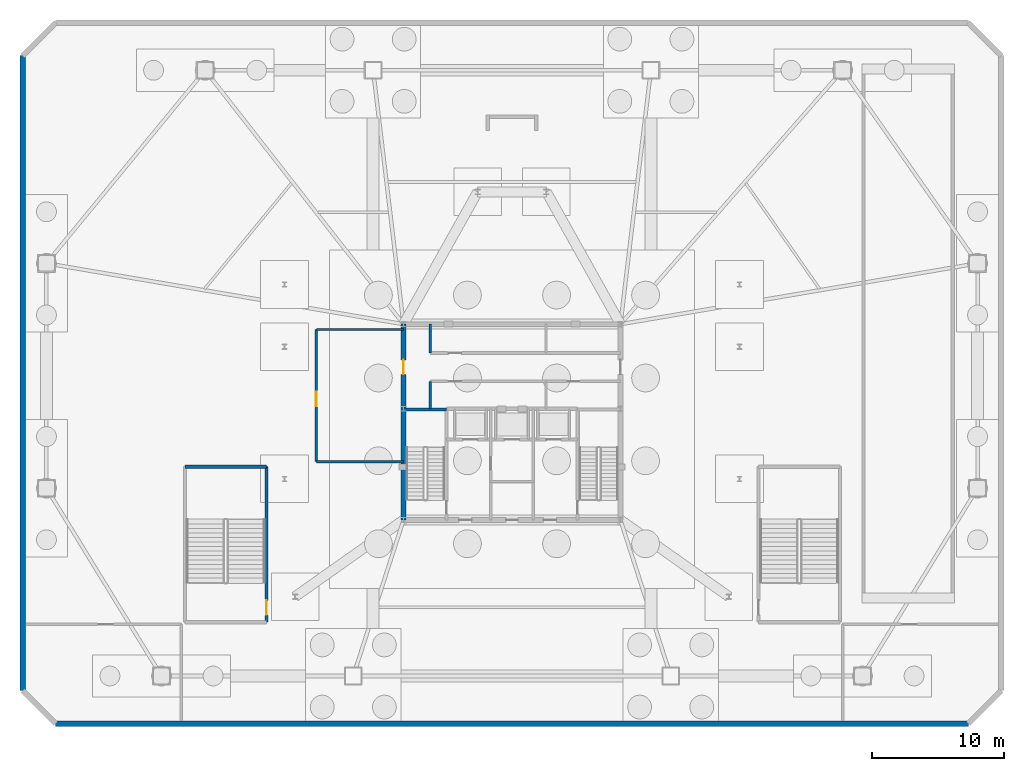
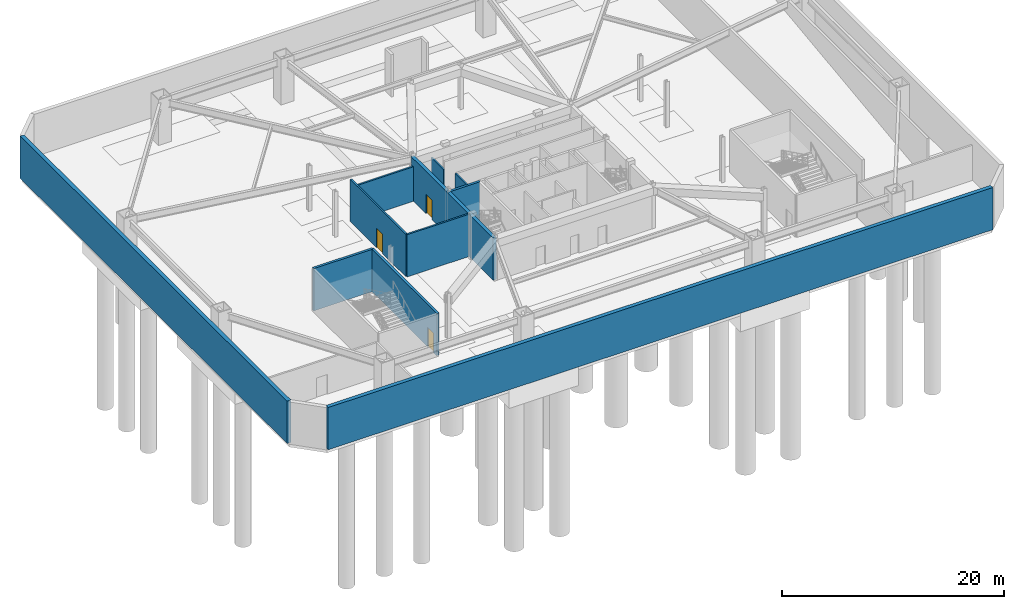
# One storey, part 7 of 12: 11 walls, 3 doors, 3 openings.
"""IFC4 building model written with IfcOpenShell, lengths in metres."""

import ifcopenshell
import ifcopenshell.guid

model = None  # the IFC model being written
_history = None  # IfcOwnerHistory: only IFC2X3 demands one
_inside = {}  # id of a spatial element -> (the spatial element, [elements in it])
_under = {}  # id of a project, library or spatial element -> (it, [spatial elements below it])
_declared = {}  # id of a project -> (the project, [libraries it declares])
_typed = {}  # id of a type object -> (the type object, [elements of that type])
_made_of = {}  # id of a material, layer set ... -> (it, [elements and type objects made of it])


def new_model(schema):
    """Start an empty IFC model of exactly this schema.

    Asked for "IFC4X3", IfcOpenShell would pick the latest addendum, in which some entities
    have other attributes; the version numbers below select the first issue.
    IFC2X3 requires an IfcOwnerHistory on every rooted entity: one is made here for all.
    """
    global model, _history
    if schema == "IFC4X3":
        model = ifcopenshell.file(schema_version=(4, 3, 0, 0))
    else:
        model = ifcopenshell.file(schema=schema)
    _inside.clear()
    _under.clear()
    _declared.clear()
    _typed.clear()
    _made_of.clear()
    _history = None
    if model.schema == "IFC2X3":
        org = make("IfcOrganization", Name="unknown")
        user = make(
            "IfcPersonAndOrganization",
            ThePerson=make("IfcPerson", FamilyName="unknown"),
            TheOrganization=org,
        )
        app = make(
            "IfcApplication",
            ApplicationDeveloper=org,
            Version="unknown",
            ApplicationFullName="unknown",
            ApplicationIdentifier="unknown",
        )
        _history = make(
            "IfcOwnerHistory",
            OwningUser=user,
            OwningApplication=app,
            ChangeAction="ADDED",
            CreationDate=0,
        )
    return model


def make(cls, **values):
    """One entity of the class cls with the attributes given. An attribute that is None is left unset."""
    return model.create_entity(
        cls, **{name: value for name, value in values.items() if value is not None}
    )


def rooted(cls, **values):
    """An entity with a GlobalId (a new one), such as an element, a storey or a relation."""
    return make(cls, GlobalId=ifcopenshell.guid.new(), OwnerHistory=_history, **values)


def si_unit(unit_type, name, prefix=None):
    """IfcSIUnit, for example si_unit("LENGTHUNIT", "METRE", prefix="MILLI")."""
    return make("IfcSIUnit", UnitType=unit_type, Prefix=prefix, Name=name)


def assignment(units):
    """IfcUnitAssignment: the units of a project."""
    return None if units is None else make("IfcUnitAssignment", Units=units)


def point(xyz):
    """IfcCartesianPoint."""
    return None if xyz is None else make("IfcCartesianPoint", Coordinates=xyz)


def direction(xyz):
    """IfcDirection."""
    return None if xyz is None else make("IfcDirection", DirectionRatios=xyz)


def frame(location, z_axis=None, x_axis=None):
    """IfcAxis2Placement3D, a coordinate frame: its origin and axes. An axis left out is left unset."""
    return make(
        "IfcAxis2Placement3D",
        Location=point(location),
        Axis=direction(z_axis),
        RefDirection=direction(x_axis),
    )


def frame_2d(location, x_axis=None):
    """IfcAxis2Placement2D, a coordinate frame in the plane: its origin and x axis."""
    return make(
        "IfcAxis2Placement2D", Location=point(location), RefDirection=direction(x_axis)
    )


def origin():
    """The frame at (0, 0, 0) with its axes left unset."""
    return frame((0.0, 0.0, 0.0))


def place(relative_to, where):
    """IfcLocalPlacement: puts the frame where relative to a parent placement (None: the world)."""
    return make(
        "IfcLocalPlacement", PlacementRelTo=relative_to, RelativePlacement=where
    )


def context(
    kind, dimensions, precision=None, world=None, true_north=None, identifier=None
):
    """IfcGeometricRepresentationContext, for example the 3D "Model" context."""
    return make(
        "IfcGeometricRepresentationContext",
        ContextIdentifier=identifier,
        ContextType=kind,
        CoordinateSpaceDimension=dimensions,
        Precision=precision,
        WorldCoordinateSystem=world,
        TrueNorth=true_north,
    )


def subcontext(parent, identifier, kind, view, scale=None):
    """IfcGeometricRepresentationSubContext, for example "Body" below "Model"."""
    return make(
        "IfcGeometricRepresentationSubContext",
        ContextIdentifier=identifier,
        ContextType=kind,
        ParentContext=parent,
        TargetScale=scale,
        TargetView=view,
    )


def project(units=None, contexts=None):
    """IfcProject with its units and contexts."""
    return rooted(
        "IfcProject",
        Name="project",
        RepresentationContexts=contexts,
        UnitsInContext=assignment(units),
    )


def spatial(cls, under=None, at=None, **own):
    """A site, building, storey or space (cls), placed at a placement, below another one or the project."""
    s = rooted(cls, ObjectPlacement=at, **own)
    if under is not None:
        _under.setdefault(under.id(), (under, []))[1].append(s)
    return s


def profile(cls, at=None, kind="AREA", **sizes):
    """A parametric profile (cls). Its sizes go by their IFC names, for example OverallWidth=200.0."""
    return make(cls, ProfileType=kind, Position=at, **sizes)


def rectangle(**sizes):
    """IfcRectangleProfileDef."""
    return profile("IfcRectangleProfileDef", **sizes)


def extrude(swept, where, along, depth):
    """IfcExtrudedAreaSolid: the profile swept, set in the frame where, extruded along a direction by depth."""
    return make(
        "IfcExtrudedAreaSolid",
        SweptArea=swept,
        Position=where,
        ExtrudedDirection=direction(along),
        Depth=depth,
    )


def shape(context_of_items, identifier, shape_type, items):
    """IfcShapeRepresentation: the items that make up one representation, for example the "Body"."""
    return make(
        "IfcShapeRepresentation",
        ContextOfItems=context_of_items,
        RepresentationIdentifier=identifier,
        RepresentationType=shape_type,
        Items=items,
    )


def material(Name=None, Category=None):
    """IfcMaterial."""
    return make("IfcMaterial", Name=Name, Category=Category)


def layer(
    of_material, thickness, ventilated=None, Name=None, Category=None, Priority=None
):
    """IfcMaterialLayer: one layer of a wall or slab, of a material (None: an air gap)."""
    return make(
        "IfcMaterialLayer",
        Material=of_material,
        LayerThickness=thickness,
        IsVentilated=ventilated,
        Name=Name,
        Category=Category,
        Priority=Priority,
    )


def layer_set(layers, Name=None):
    """IfcMaterialLayerSet."""
    return make("IfcMaterialLayerSet", MaterialLayers=layers, LayerSetName=Name)


def made_of(thing, what):
    """Note that an element or type object is made of a material, layer set ...; save() writes the relation."""
    if what is not None:
        _made_of.setdefault(what.id(), (what, []))[1].append(thing)
    return thing


def type_object(cls, material=None, **own):
    """A type object (cls), such as IfcWallType, which elements share."""
    return made_of(rooted(cls, **own), material)


def element(
    cls,
    number,
    at=None,
    inside=None,
    cuts=None,
    type_object=None,
    material=None,
    context=None,
    identifier="Body",
    shape_type=None,
    held_by="IfcProductDefinitionShape",
    body=None,
    shapes=None,
    **own,
):
    """One element of the class cls, such as IfcWall. Its Tag is "e" and its number.

    at: its placement. inside: the storey or other place that contains it. cuts: it is an
    opening in that element (IfcRelVoidsElement). A single representation is given by context,
    identifier, shape_type and body (its items); several are given by shapes. held_by: the class
    of the entity that holds the representations. save() writes the other relations.
    """
    e = rooted(cls, Tag="e%d" % number, ObjectPlacement=at, **own)
    if body is not None:
        shapes = [shape(context, identifier, shape_type, body)]
    if shapes is not None:
        e.Representation = make(held_by, Representations=shapes)
    if inside is not None:
        _inside.setdefault(inside.id(), (inside, []))[1].append(e)
    if cuts is not None:
        rooted(
            "IfcRelVoidsElement", RelatingBuildingElement=cuts, RelatedOpeningElement=e
        )
    if type_object is not None:
        _typed.setdefault(type_object.id(), (type_object, []))[1].append(e)
    return made_of(e, material)


def fill(opening, filler):
    """IfcRelFillsElement: the door or window that sits in an opening."""
    return rooted(
        "IfcRelFillsElement",
        RelatingOpeningElement=opening,
        RelatedBuildingElement=filler,
    )


def aggregate(whole, parts):
    """IfcRelAggregates: a whole, such as a stair, and the parts it consists of."""
    return rooted("IfcRelAggregates", RelatingObject=whole, RelatedObjects=parts)


def save(model, path):
    """Write the relations noted so far, then the file.

    IfcRelAggregates (storeys below a building ...), IfcRelContainedInSpatialStructure (elements
    in a storey), IfcRelDefinesByType, IfcRelAssociatesMaterial and IfcRelDeclares: one each for
    every whole, place, type object, material and project.
    """
    for whole, parts in _under.values():
        aggregate(whole, parts)
    for where, things in _inside.values():
        rooted(
            "IfcRelContainedInSpatialStructure",
            RelatedElements=things,
            RelatingStructure=where,
        )
    for kind, things in _typed.values():
        rooted("IfcRelDefinesByType", RelatedObjects=things, RelatingType=kind)
    for what, things in _made_of.values():
        rooted("IfcRelAssociatesMaterial", RelatedObjects=things, RelatingMaterial=what)
    for by, libraries in _declared.values():
        rooted("IfcRelDeclares", RelatingContext=by, RelatedDefinitions=libraries)
    model.write(path)


model = new_model("IFC4")

# Units and contexts
model_context = context("Model", 3, precision=1e-05, world=origin(), true_north=direction((0.0, 1.0)))
body_context = subcontext(model_context, "Body", "Model", "MODEL_VIEW")
ifc_project = project(units=[si_unit("LENGTHUNIT", "METRE"), si_unit("AREAUNIT", "SQUARE_METRE"), si_unit("VOLUMEUNIT", "CUBIC_METRE"), si_unit("PLANEANGLEUNIT", "RADIAN"), si_unit("MASSUNIT", "GRAM", prefix="KILO")], contexts=[model_context])

# Site, building, storey
site_placement = place(None, origin())
site = spatial("IfcSite", under=ifc_project, at=site_placement, CompositionType="ELEMENT")
building_placement = place(site_placement, origin())
building = spatial("IfcBuilding", under=site, at=building_placement, Name="Varakhsha Concourse Tower", CompositionType="ELEMENT")
storey_placement = place(building_placement, frame((0.0, 0.0, -10.0)))
storey = spatial("IfcBuildingStorey", under=building, at=storey_placement, Name="B02", CompositionType="ELEMENT", Elevation=-10.0)

# Walls
ifc_material_1 = material(Name="Concrete fc 45 MPa", Category="concrete")
ifc_layer_1 = layer(ifc_material_1, 0.39990234375, Name="WL-BSMT-400")
ifc_layer_set_1 = layer_set([ifc_layer_1], Name="Concrete fc 45 MPa")
wall_type_1 = type_object("IfcWallType", Name="WL-BSMT-400", PredefinedType="USERDEFINED", material=ifc_layer_set_1)
wall_1_placement = place(storey_placement, frame((5.5, 1.0, 0.0), z_axis=(0.0, 0.0, 1.0), x_axis=(1.0, 0.0, 0.0)))
element("IfcWall", 1, at=wall_1_placement, inside=storey, type_object=wall_type_1, Name="B02 Perimeter Basement Retaining Wall 01", ObjectType="RETAINING WALL", PredefinedType="USERDEFINED", context=body_context, shape_type="SweptSolid", body=[
    extrude(rectangle(XDim=69.0, YDim=0.39990234375, at=frame_2d((34.5, 0.0))), origin(), (0.0, 0.0, 1.0), 4.639892578125),
])
wall_2_placement = place(storey_placement, frame((3.0, 51.5, 0.0), z_axis=(0.0, 0.0, 1.0), x_axis=(0.0, -1.0, 0.0)))
element("IfcWall", 2, at=wall_2_placement, inside=storey, type_object=wall_type_1, Name="B02 Perimeter Basement Retaining Wall 07", ObjectType="RETAINING WALL", PredefinedType="USERDEFINED", context=body_context, shape_type="SweptSolid", body=[
    extrude(rectangle(XDim=48.0, YDim=0.39990234375, at=frame_2d((24.0, 0.0))), origin(), (0.0, 0.0, 1.0), 4.639892578125),
])

# Wall, opening, door
ifc_material_2 = material(Name="Concrete fc 65 MPa", Category="concrete")
ifc_layer_2 = layer(ifc_material_2, 0.35009765625, Name="WL-CORE-350")
ifc_layer_set_2 = layer_set([ifc_layer_2], Name="Concrete fc 65 MPa")
wall_type_2 = type_object("IfcWallType", Name="WL-CORE-350", PredefinedType="SHEAR", material=ifc_layer_set_2)
wall_3_placement = place(storey_placement, frame((31.800048828125, 16.39990234375, 0.0), z_axis=(0.0, 0.0, 1.0), x_axis=(0.0, 1.0, 0.0)))
wall_3 = element("IfcWall", 3, at=wall_3_placement, inside=storey, type_object=wall_type_2, Name="B02 Wall CWALL-W-B02", PredefinedType="SHEAR", context=body_context, shape_type="SweptSolid", body=[
    extrude(rectangle(XDim=14.800048828125, YDim=0.35009765625, at=frame_2d((7.39990234375, 0.0))), origin(), (0.0, 0.0, 1.0), 4.639892578125),
])
opening_1_placement = place(wall_3_placement, frame((11.0, 0.0, 0.0)))
opening_1 = element("IfcOpeningElement", 4, at=opening_1_placement, cuts=wall_3, Name="Opening DL-01", PredefinedType="OPENING", context=body_context, shape_type="SweptSolid", body=[
    extrude(rectangle(XDim=1.10009765625, YDim=2.14990234375, at=frame_2d((0.550048828125, 1.074951171875))), frame((0.0, 0.18505859375, 0.0), z_axis=(0.0, -1.0, 0.0), x_axis=(1.0, 0.0, 0.0)), (0.0, 0.0, 1.0), 0.3701171875),
])
ifc_material_3 = material(Name="Anodised Bronze Architectural Aluminium AA 6063-T6", Category="aluminium")
door_type_1 = type_object("IfcDoorType", Name="DR-LOB-1100", OperationType="NOTDEFINED", PredefinedType="DOOR", material=ifc_material_3)
door_1_placement = place(opening_1_placement, origin())
door_1 = element("IfcDoor", 5, at=door_1_placement, inside=storey, type_object=door_type_1, Name="B02 Lift Lobby West Concourse Door", OperationType="SINGLE_SWING_LEFT", OverallHeight=2.14990234375, OverallWidth=1.10009765625, PredefinedType="DOOR", context=body_context, shape_type="SweptSolid", body=[
    extrude(rectangle(XDim=1.10009765625, YDim=2.14990234375, at=frame_2d((0.550048828125, 1.074951171875))), frame((0.0, 0.02490234375, 0.0), z_axis=(0.0, -1.0, 0.0), x_axis=(1.0, 0.0, 0.0)), (0.0, 0.0, 1.0), 0.050048828125),
])
fill(opening_1, door_1)

# Walls
ifc_material_4 = material(Name="Fire-Rated Type X Gypsum Partition Assembly", Category="gypsum")
ifc_layer_3 = layer(ifc_material_4, 0.179931640625, Name="WL-PART-180")
ifc_layer_set_3 = layer_set([ifc_layer_3], Name="Fire-Rated Type X Gypsum Partition Assembly")
wall_type_3 = type_object("IfcWallType", Name="WL-PART-180", PredefinedType="PARTITIONING", material=ifc_layer_set_3)
wall_4_placement = place(storey_placement, frame((25.199951171875, 20.800048828125, 0.0), z_axis=(0.0, 0.0, 1.0), x_axis=(1.0, 0.0, 0.0)))
element("IfcWall", 6, at=wall_4_placement, inside=storey, type_object=wall_type_3, Name="B02 Wall BWALL-BIK-S-B02", PredefinedType="PARTITIONING", context=body_context, shape_type="SweptSolid", body=[
    extrude(rectangle(XDim=6.60009765625, YDim=0.179931640625, at=frame_2d((3.300048828125, 0.0))), origin(), (0.0, 0.0, 1.0), 4.639892578125),
])
wall_5_placement = place(storey_placement, frame((25.199951171875, 30.800048828125, 0.0), z_axis=(0.0, 0.0, 1.0), x_axis=(1.0, 0.0, 0.0)))
element("IfcWall", 7, at=wall_5_placement, inside=storey, type_object=wall_type_3, Name="B02 Wall BWALL-BIK-N-B02", PredefinedType="PARTITIONING", context=body_context, shape_type="SweptSolid", body=[
    extrude(rectangle(XDim=6.60009765625, YDim=0.179931640625, at=frame_2d((3.300048828125, 0.0))), origin(), (0.0, 0.0, 1.0), 3.780029296875),
])

# Wall, opening, door
wall_6_placement = place(storey_placement, frame((25.199951171875, 20.800048828125, 0.0), z_axis=(0.0, 0.0, 1.0), x_axis=(0.0, 1.0, 0.0)))
wall_6 = element("IfcWall", 8, at=wall_6_placement, inside=storey, type_object=wall_type_3, Name="B02 Wall BWALL-BIK-B02", PredefinedType="PARTITIONING", context=body_context, shape_type="SweptSolid", body=[
    extrude(rectangle(XDim=10.0, YDim=0.179931640625, at=frame_2d((5.0, 0.0))), origin(), (0.0, 0.0, 1.0), 4.639892578125),
])
opening_2_placement = place(wall_6_placement, frame((4.199951171875, 0.0, 0.0)))
opening_2 = element("IfcOpeningElement", 9, at=opening_2_placement, cuts=wall_6, Name="Opening DF-02", PredefinedType="OPENING", context=body_context, shape_type="SweptSolid", body=[
    extrude(rectangle(XDim=1.10009765625, YDim=2.14990234375, at=frame_2d((0.550048828125, 1.074951171875))), frame((0.0, 0.099853515625, 0.0), z_axis=(0.0, -1.0, 0.0), x_axis=(1.0, 0.0, 0.0)), (0.0, 0.0, 1.0), 0.199951171875),
])
ifc_material_5 = material(Name="Hollow Galvanised Steel Fire Door Assembly", Category="steel")
door_type_2 = type_object("IfcDoorType", Name="DR-FD90-1100", OperationType="NOTDEFINED", PredefinedType="DOOR", material=ifc_material_5)
door_2_placement = place(opening_2_placement, origin())
door_2 = element("IfcDoor", 10, at=door_2_placement, inside=storey, type_object=door_type_2, Name="B02 Main Electrical Substation Room Door", OperationType="SINGLE_SWING_LEFT", OverallHeight=2.14990234375, OverallWidth=1.10009765625, PredefinedType="DOOR", context=body_context, shape_type="SweptSolid", body=[
    extrude(rectangle(XDim=1.10009765625, YDim=2.14990234375, at=frame_2d((0.550048828125, 1.074951171875))), frame((0.0, 0.02490234375, 0.0), z_axis=(0.0, -1.0, 0.0), x_axis=(1.0, 0.0, 0.0)), (0.0, 0.0, 1.0), 0.050048828125),
])
fill(opening_2, door_2)

# Walls
ifc_layer_4 = layer(ifc_material_4, 0.199951171875, Name="WL-SHAFT-220")
ifc_layer_set_4 = layer_set([ifc_layer_4], Name="Fire-Rated Type X Gypsum Partition Assembly")
wall_type_4 = type_object("IfcWallType", Name="WL-SHAFT-220", PredefinedType="SOLIDWALL", material=ifc_layer_set_4)
wall_7_placement = place(storey_placement, frame((33.820068359375, 29.02001953125, 0.0), z_axis=(0.0, 0.0, 1.0), x_axis=(0.0, 1.0, 0.0)))
element("IfcWall", 11, at=wall_7_placement, inside=storey, type_object=wall_type_4, Name="B02 Wall WBOH-E1-B02", PredefinedType="SOLIDWALL", context=body_context, shape_type="SweptSolid", body=[
    extrude(rectangle(XDim=2.179931640625, YDim=0.159912109375, at=frame_2d((1.08984375, 0.0))), origin(), (0.0, 0.0, 1.0), 3.780029296875),
])
wall_8_placement = place(storey_placement, frame((33.820068359375, 24.800048828125, 0.0), z_axis=(0.0, 0.0, 1.0), x_axis=(0.0, 1.0, 0.0)))
element("IfcWall", 12, at=wall_8_placement, inside=storey, type_object=wall_type_4, Name="B02 Wall WBOH-E2-B02", PredefinedType="SOLIDWALL", context=body_context, shape_type="SweptSolid", body=[
    extrude(rectangle(XDim=2.079833984375, YDim=0.159912109375, at=frame_2d((1.0400390625, 0.0))), origin(), (0.0, 0.0, 1.0), 4.639892578125),
])
ifc_layer_5 = layer(ifc_material_1, 0.25, Name="WL-STAIR-250")
ifc_layer_set_5 = layer_set([ifc_layer_5], Name="Concrete fc 45 MPa")
wall_type_5 = type_object("IfcWallType", Name="WL-STAIR-250", PredefinedType="SHEAR", material=ifc_layer_set_5)
wall_9_placement = place(storey_placement, frame((31.800048828125, 24.7548828125, 0.0), z_axis=(0.0, 0.0, 1.0), x_axis=(1.0, 0.0, 0.0)))
element("IfcWall", 13, at=wall_9_placement, inside=storey, type_object=wall_type_5, Name="B02 Wall SWALL-ST1-N-B02", PredefinedType="SHEAR", context=body_context, shape_type="SweptSolid", body=[
    extrude(rectangle(XDim=3.244873046875, YDim=0.25, at=frame_2d((1.62255859375, 0.0))), origin(), (0.0, 0.0, 1.0), 4.639892578125),
])
wall_10_placement = place(storey_placement, frame((15.27490234375, 20.425048828125, 0.0), z_axis=(0.0, 0.0, 1.0), x_axis=(1.0, 0.0, 0.0)))
element("IfcWall", 14, at=wall_10_placement, inside=storey, type_object=wall_type_5, Name="B02 Wall ST3W-N-B02", PredefinedType="SHEAR", context=body_context, shape_type="SweptSolid", body=[
    extrude(rectangle(XDim=6.170166015625, YDim=0.25, at=frame_2d((3.0849609375, 0.0))), origin(), (0.0, 0.0, 1.0), 4.639892578125),
])

# Wall, opening, door
wall_11_placement = place(storey_placement, frame((21.445068359375, 8.675048828125, 0.0), z_axis=(0.0, 0.0, 1.0), x_axis=(0.0, 1.0, 0.0)))
wall_11 = element("IfcWall", 15, at=wall_11_placement, inside=storey, type_object=wall_type_5, Name="B02 Wall ST3W-E-B02", PredefinedType="SHEAR", context=body_context, shape_type="SweptSolid", body=[
    extrude(rectangle(XDim=11.75, YDim=0.25, at=frame_2d((5.875, 0.0))), origin(), (0.0, 0.0, 1.0), 4.639892578125),
])
opening_3_placement = place(wall_11_placement, frame((0.550048828125, 0.0, 0.0)))
opening_3 = element("IfcOpeningElement", 16, at=opening_3_placement, cuts=wall_11, Name="Opening DF-02", PredefinedType="OPENING", context=body_context, shape_type="SweptSolid", body=[
    extrude(rectangle(XDim=1.10009765625, YDim=2.14990234375, at=frame_2d((0.550048828125, 1.074951171875))), frame((0.0, 0.135009765625, 0.0), z_axis=(0.0, -1.0, 0.0), x_axis=(1.0, 0.0, 0.0)), (0.0, 0.0, 1.0), 0.27001953125),
])
door_3_placement = place(opening_3_placement, origin())
door_3 = element("IfcDoor", 17, at=door_3_placement, inside=storey, type_object=door_type_2, Name="B02 Stair ST3 Door", OperationType="SINGLE_SWING_LEFT", OverallHeight=2.14990234375, OverallWidth=1.10009765625, PredefinedType="DOOR", context=body_context, shape_type="SweptSolid", body=[
    extrude(rectangle(XDim=1.10009765625, YDim=2.14990234375, at=frame_2d((0.550048828125, 1.074951171875))), frame((0.0, 0.02490234375, 0.0), z_axis=(0.0, -1.0, 0.0), x_axis=(1.0, 0.0, 0.0)), (0.0, 0.0, 1.0), 0.050048828125),
])
fill(opening_3, door_3)

save(model, "model.ifc")
